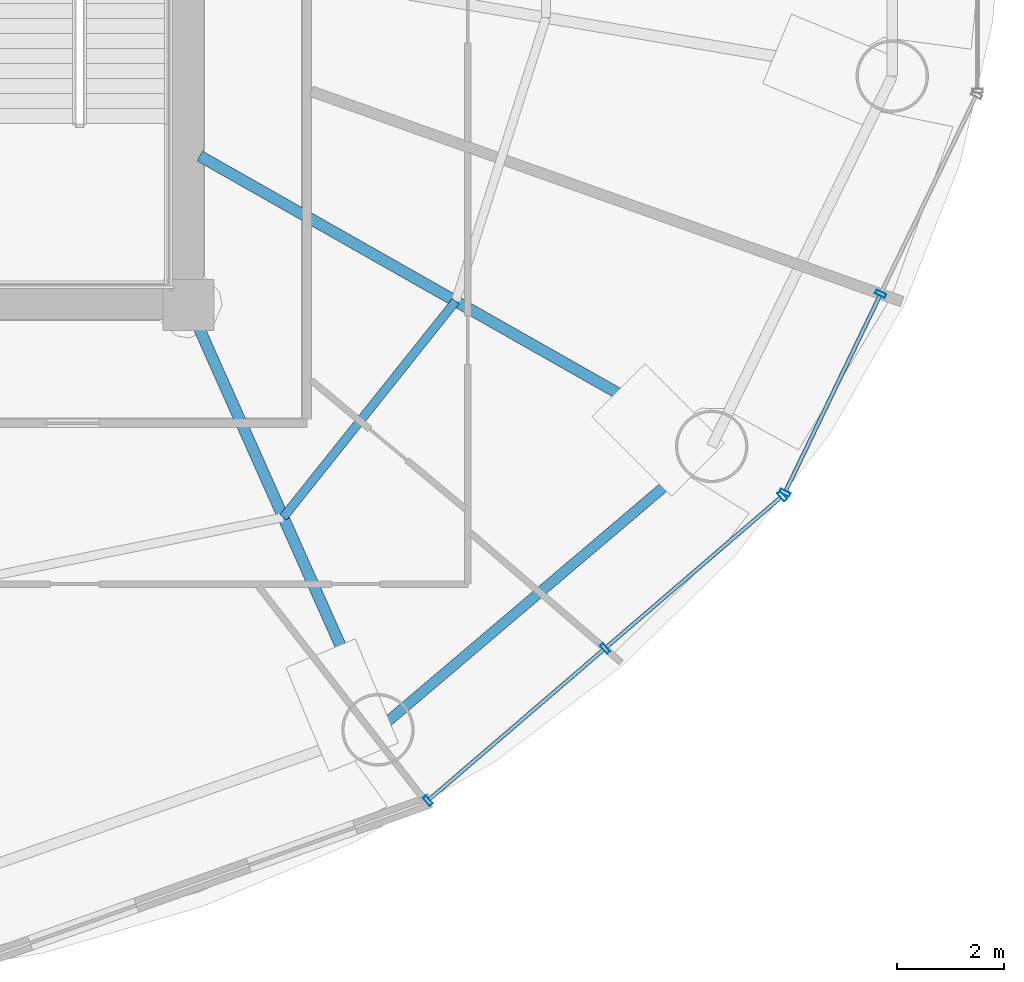
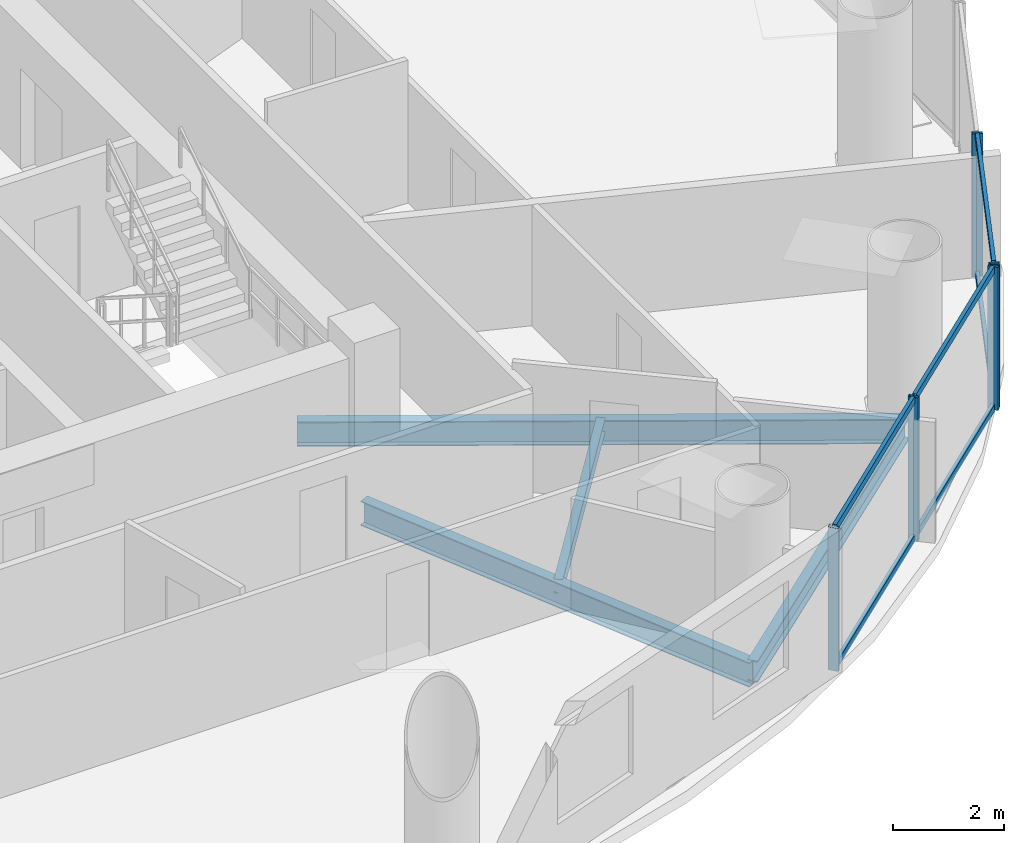
# One storey, part 10 of 26: 11 members, 4 beams, 2 elements without a shape of their own.
"""IFC4 building model written with IfcOpenShell, lengths in metres."""

from ifc_helpers import new_model, si_unit, direction, frame, origin, origin_2d, place, context, subcontext, project, spatial, hollow_rectangle, i_section, extrude, source, transform, mapped, material, material_profile, profile_set, type_object, element, aggregate, save


model = new_model("IFC4")

# Units and contexts
model_context = context("Model", 3, precision=1e-05, world=origin(), true_north=direction((-0.2419218956, 0.970295726276)))
body_context = subcontext(model_context, "Body", "Model", "MODEL_VIEW")
ifc_project = project(units=[si_unit("LENGTHUNIT", "METRE"), si_unit("AREAUNIT", "SQUARE_METRE"), si_unit("VOLUMEUNIT", "CUBIC_METRE"), si_unit("PLANEANGLEUNIT", "RADIAN"), si_unit("MASSUNIT", "GRAM", prefix="KILO")], contexts=[model_context])

# Site, building, storey
site_placement = place(None, origin())
site = spatial("IfcSite", under=ifc_project, at=site_placement, CompositionType="ELEMENT")
building_placement = place(site_placement, origin())
building = spatial("IfcBuilding", under=site, at=building_placement, Name="Cobrevalo Terracotta Tower", CompositionType="ELEMENT")
storey_placement = place(building_placement, frame((0.0, 0.0, 182.199951171875)))
storey = spatial("IfcBuildingStorey", under=building, at=storey_placement, Name="L48", CompositionType="ELEMENT", Elevation=182.199951171875)

# Beams
ifc_material_1 = material(Name="Steel S355", Category="steel")
ifc_material_profile_1 = material_profile(ifc_material_1, i_section(OverallWidth=0.2109375, OverallDepth=0.5390625, WebThickness=0.01171875, FlangeThickness=0.018798828125, at=origin_2d()), Name="W 530x109")
ifc_profile_set_1 = profile_set([ifc_material_profile_1], Name="Steel S355")
beam_type_1 = type_object("IfcBeamType", Name="Structural Beam W 530x109 (Steel S355)", PredefinedType="BEAM", material=ifc_profile_set_1)
beam_1_placement = place(storey_placement, frame((50.528076171875, 10.87744140625, -0.53955078125), z_axis=(-0.406804395691, 0.913515289224, 0.0), x_axis=(-0.913515289224, -0.406804395691, 0.0)))
element("IfcBeam", 1, at=beam_1_placement, inside=storey, type_object=beam_type_1, Name="L48 radial floor girder 14", PredefinedType="BEAM", context=body_context, shape_type="SweptSolid", body=[
    extrude(i_section(OverallWidth=0.2109375, OverallDepth=0.5390625, WebThickness=0.01171875, FlangeThickness=0.018798828125, at=origin_2d()), origin(), (0.0, 0.0, 1.0), 8.672607421875),
])
beam_2_placement = place(storey_placement, frame((56.749755859375, 16.160888671875, -0.53955078125), z_axis=(-0.869743726706, 0.493503647257, 0.0), x_axis=(-0.493503647257, -0.869743726706, 0.0)))
element("IfcBeam", 2, at=beam_2_placement, inside=storey, type_object=beam_type_1, Name="L48 radial floor girder 15", PredefinedType="BEAM", context=body_context, shape_type="SweptSolid", body=[
    extrude(i_section(OverallWidth=0.2109375, OverallDepth=0.5390625, WebThickness=0.01171875, FlangeThickness=0.018798828125, at=origin_2d()), origin(), (0.0, 0.0, 1.0), 10.97412109375),
])
ifc_material_profile_2 = material_profile(ifc_material_1, i_section(OverallWidth=0.1650390625, OverallDepth=0.31005859375, WebThickness=0.005859375, FlangeThickness=0.009765625, at=origin_2d()), Name="W 310x38.7")
ifc_profile_set_2 = profile_set([ifc_material_profile_2], Name="Steel S355")
beam_type_2 = type_object("IfcBeamType", Name="Structural Joist W 310x38.7 (Steel S355)", PredefinedType="JOIST", material=ifc_profile_set_2)
beam_3_placement = place(storey_placement, frame((48.76416015625, 14.838623046875, -0.425048828125), z_axis=(0.623382939397, 0.781916690492, 0.0), x_axis=(-0.781916690492, 0.623382939397, 0.0)))
element("IfcBeam", 3, at=beam_3_placement, inside=storey, type_object=beam_type_2, Name="L48 circumferential secondary floor joist 14", PredefinedType="JOIST", context=body_context, shape_type="SweptSolid", body=[
    extrude(i_section(OverallWidth=0.1650390625, OverallDepth=0.31005859375, WebThickness=0.005859375, FlangeThickness=0.009765625, at=origin_2d()), origin(), (0.0, 0.0, 1.0), 5.154296875),
])
ifc_material_profile_3 = material_profile(ifc_material_1, i_section(OverallWidth=0.194091796875, OverallDepth=0.468994140625, WebThickness=0.011474609375, FlangeThickness=0.0205078125, at=origin_2d()), Name="W 460x106")
ifc_profile_set_3 = profile_set([ifc_material_profile_3], Name="Steel S355")
beam_type_3 = type_object("IfcBeamType", Name="Structural Spandrel W 460x106 (Steel S355)", PredefinedType="SPANDREL", material=ifc_profile_set_3)
beam_4_placement = place(storey_placement, frame((50.528076171875, 10.87744140625, -0.50439453125), z_axis=(0.762240337798, 0.647294112003, 0.0), x_axis=(-0.647294112003, 0.762240337798, 0.0)))
element("IfcBeam", 4, at=beam_4_placement, inside=storey, type_object=beam_type_3, Name="L48 perimeter ring spandrel 14", PredefinedType="SPANDREL", context=body_context, shape_type="SweptSolid", body=[
    extrude(i_section(OverallWidth=0.194091796875, OverallDepth=0.468994140625, WebThickness=0.011474609375, FlangeThickness=0.0205078125, at=origin_2d()), origin(), (0.0, 0.0, 1.0), 8.162353515625),
])

# Curtain wall, members
ifc_material_2 = material(Name="Anodized aluminium", Category="aluminium")
curtain_wall_type = type_object("IfcCurtainWallType", Name="Mid-tower high-wind unitised curtain wall CW-U2", PredefinedType="NOTDEFINED", material=ifc_material_2)
curtain_wall_1_placement = place(storey_placement, origin())
curtain_wall_1 = element("IfcCurtainWall", 5, at=curtain_wall_1_placement, inside=storey, type_object=curtain_wall_type, Name="L48 curtain wall CW-L48-S14", PredefinedType="NOTDEFINED")
ifc_material_profile_4 = material_profile(ifc_material_2, hollow_rectangle(XDim=0.074951171875, YDim=0.14990234375, WallThickness=0.00439453125, at=origin_2d()), Name="CWT 75x150")
ifc_profile_set_4 = profile_set([ifc_material_profile_4], Name="Anodized aluminium")
member_type_1 = type_object("IfcMemberType", Name="Tower unitised aluminium transom 75x150", PredefinedType="USERDEFINED", material=ifc_profile_set_4)
shared_shape_1 = source(origin(), body_context, "Body", "SweptSolid", [
    extrude(hollow_rectangle(XDim=0.074951171875, YDim=0.14990234375, WallThickness=0.00439453125, at=origin_2d()), origin(), (0.0, 0.0, 1.0), 4.276123046875),
])
member_1_placement = place(storey_placement, frame((51.48876953125, 9.58251953125, 0.050048828125), z_axis=(0.758417719247, 0.651768795764, 0.0), x_axis=(-0.651768795764, 0.758417719247, 0.0)))
member_1 = element("IfcMember", 6, at=member_1_placement, type_object=member_type_1, Name="CW-L48-S14 transom B01-T1", ObjectType="TRANSOM", PredefinedType="USERDEFINED", context=body_context, shape_type="MappedRepresentation", body=[
    mapped(shared_shape_1, transform((0.0, 0.0, 0.0), scale=1.0)),
])
member_2_placement = place(storey_placement, frame((51.48876953125, 9.58251953125, 3.10009765625), z_axis=(0.758417719247, 0.651768795764, 0.0), x_axis=(-0.651768795764, 0.758417719247, 0.0)))
member_2 = element("IfcMember", 7, at=member_2_placement, type_object=member_type_1, Name="CW-L48-S14 transom B01-T2", ObjectType="TRANSOM", PredefinedType="USERDEFINED", context=body_context, shape_type="MappedRepresentation", body=[
    mapped(shared_shape_1, transform((0.0, 0.0, 0.0), scale=1.0)),
])
member_3_placement = place(storey_placement, frame((54.792724609375, 12.421630859375, 0.050048828125), z_axis=(0.758417719247, 0.651768795764, 0.0), x_axis=(-0.651768795764, 0.758417719247, 0.0)))
member_3 = element("IfcMember", 8, at=member_3_placement, type_object=member_type_1, Name="CW-L48-S14 transom B02-T1", ObjectType="TRANSOM", PredefinedType="USERDEFINED", context=body_context, shape_type="MappedRepresentation", body=[
    mapped(shared_shape_1, transform((0.0, 0.0, 0.0), scale=1.0)),
])
member_4_placement = place(storey_placement, frame((54.792724609375, 12.421630859375, 3.10009765625), z_axis=(0.758417719247, 0.651768795764, 0.0), x_axis=(-0.651768795764, 0.758417719247, 0.0)))
member_4 = element("IfcMember", 9, at=member_4_placement, type_object=member_type_1, Name="CW-L48-S14 transom B02-T2", ObjectType="TRANSOM", PredefinedType="USERDEFINED", context=body_context, shape_type="MappedRepresentation", body=[
    mapped(shared_shape_1, transform((0.0, 0.0, 0.0), scale=1.0)),
])

curtain_wall_2_placement = place(storey_placement, origin())
curtain_wall_2 = element("IfcCurtainWall", 10, at=curtain_wall_2_placement, inside=storey, type_object=curtain_wall_type, Name="L48 curtain wall CW-L48-S15", PredefinedType="NOTDEFINED")
shared_shape_2 = source(origin(), body_context, "Body", "SweptSolid", [
    extrude(hollow_rectangle(XDim=0.074951171875, YDim=0.14990234375, WallThickness=0.00439453125, at=origin_2d()), origin(), (0.0, 0.0, 1.0), 4.035888671875),
])
member_5_placement = place(storey_placement, frame((58.13134765625, 15.332763671875, 0.050048828125), z_axis=(0.434221176581, 0.900806288726, 0.0), x_axis=(-0.900806288726, 0.434221176581, 0.0)))
member_5 = element("IfcMember", 11, at=member_5_placement, type_object=member_type_1, Name="CW-L48-S15 transom B01-T1", ObjectType="TRANSOM", PredefinedType="USERDEFINED", context=body_context, shape_type="MappedRepresentation", body=[
    mapped(shared_shape_2, transform((0.0, 0.0, 0.0), scale=1.0)),
])
member_6_placement = place(storey_placement, frame((58.13134765625, 15.332763671875, 3.10009765625), z_axis=(0.434221176581, 0.900806288726, 0.0), x_axis=(-0.900806288726, 0.434221176581, 0.0)))
member_6 = element("IfcMember", 12, at=member_6_placement, type_object=member_type_1, Name="CW-L48-S15 transom B01-T2", ObjectType="TRANSOM", PredefinedType="USERDEFINED", context=body_context, shape_type="MappedRepresentation", body=[
    mapped(shared_shape_2, transform((0.0, 0.0, 0.0), scale=1.0)),
])

# Member
ifc_material_profile_5 = material_profile(ifc_material_2, hollow_rectangle(XDim=0.074951171875, YDim=0.199951171875, WallThickness=0.0048828125, at=origin_2d()), Name="CWM 75x200")
ifc_profile_set_5 = profile_set([ifc_material_profile_5], Name="Anodized aluminium")
member_type_2 = type_object("IfcMemberType", Name="Lower/mid tower unitised mullion 75x200", PredefinedType="MULLION", material=ifc_profile_set_5)
shared_shape_3 = source(origin(), body_context, "Body", "SweptSolid", [
    extrude(hollow_rectangle(XDim=0.074951171875, YDim=0.199951171875, WallThickness=0.0048828125, at=origin_2d()), origin(), (0.0, 0.0, 1.0), 3.150146484375),
])
member_7_placement = place(storey_placement, frame((51.45849609375, 9.556396484375, 0.0), z_axis=(0.0, 0.0, 1.0), x_axis=(0.758441546142, 0.65174106905, 0.0)))
member_7 = element("IfcMember", 13, at=member_7_placement, type_object=member_type_2, Name="CW-L48-S14 vertical mullion 01", PredefinedType="MULLION", context=body_context, shape_type="MappedRepresentation", body=[
    mapped(shared_shape_3, transform((0.0, 0.0, 0.0), scale=1.0)),
])

member_8_placement = place(storey_placement, frame((54.762451171875, 12.3955078125, 0.0), z_axis=(0.0, 0.0, 1.0), x_axis=(0.758441546142, 0.65174106905, 0.0)))
member_8 = element("IfcMember", 14, at=member_8_placement, type_object=member_type_2, Name="CW-L48-S14 vertical mullion 02", PredefinedType="MULLION", context=body_context, shape_type="MappedRepresentation", body=[
    mapped(shared_shape_3, transform((0.0, 0.0, 0.0), scale=1.0)),
])

member_9_placement = place(storey_placement, frame((58.066162109375, 15.234619140625, 0.0), z_axis=(0.0, 0.0, 1.0), x_axis=(0.758441546142, 0.65174106905, 0.0)))
member_9 = element("IfcMember", 15, at=member_9_placement, type_object=member_type_2, Name="CW-L48-S14 vertical mullion 03", PredefinedType="MULLION", context=body_context, shape_type="MappedRepresentation", body=[
    mapped(shared_shape_3, transform((0.0, 0.0, 0.0), scale=1.0)),
])

aggregate(curtain_wall_1, [member_7, member_8, member_9, member_1, member_2, member_3, member_4])

member_10_placement = place(storey_placement, frame((58.114013671875, 15.296875, 0.0), z_axis=(0.0, 0.0, 1.0), x_axis=(0.434209440271, 0.900811945957, 0.0)))
member_10 = element("IfcMember", 16, at=member_10_placement, type_object=member_type_2, Name="CW-L48-S15 vertical mullion 01", PredefinedType="MULLION", context=body_context, shape_type="MappedRepresentation", body=[
    mapped(shared_shape_3, transform((0.0, 0.0, 0.0), scale=1.0)),
])

member_11_placement = place(storey_placement, frame((59.901123046875, 19.00439453125, 0.0), z_axis=(0.0, 0.0, 1.0), x_axis=(0.434209440271, 0.900811945957, 0.0)))
member_11 = element("IfcMember", 17, at=member_11_placement, type_object=member_type_2, Name="CW-L48-S15 vertical mullion 02", PredefinedType="MULLION", context=body_context, shape_type="MappedRepresentation", body=[
    mapped(shared_shape_3, transform((0.0, 0.0, 0.0), scale=1.0)),
])

aggregate(curtain_wall_2, [member_10, member_11, member_5, member_6])

save(model, "model.ifc")
